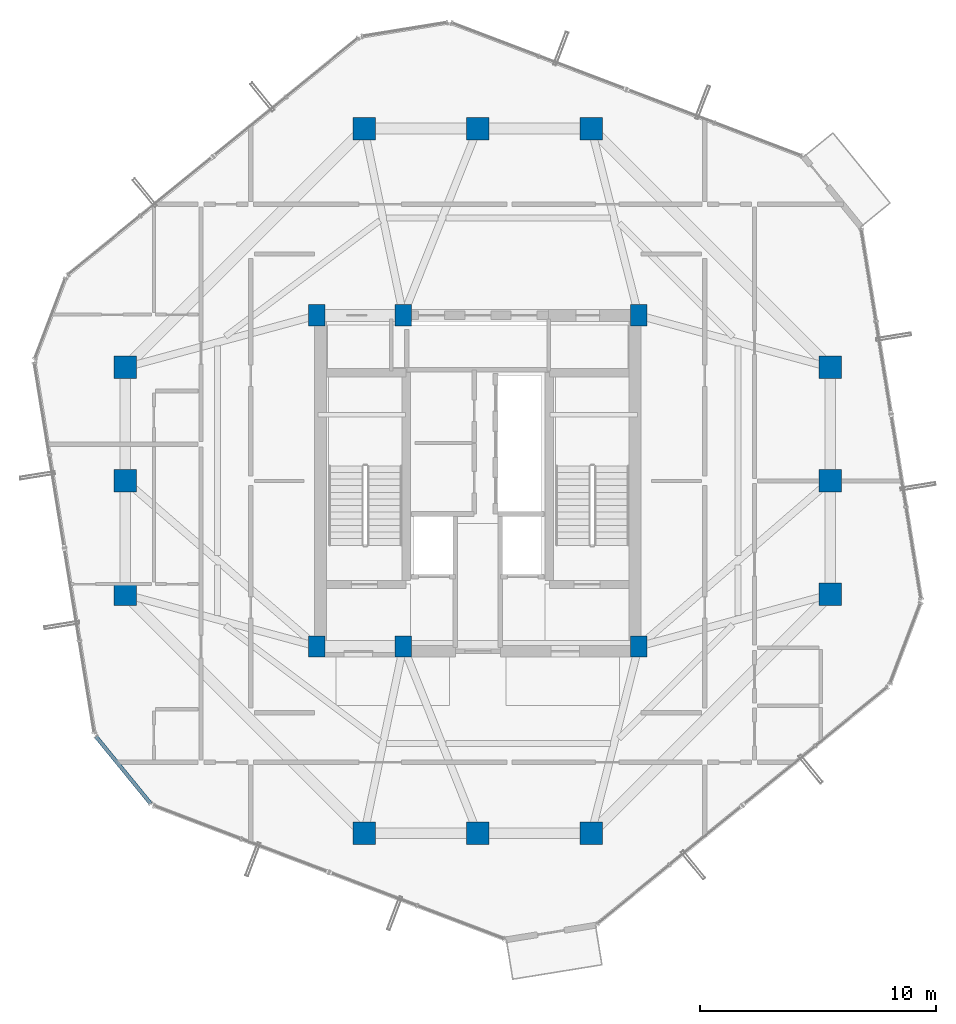
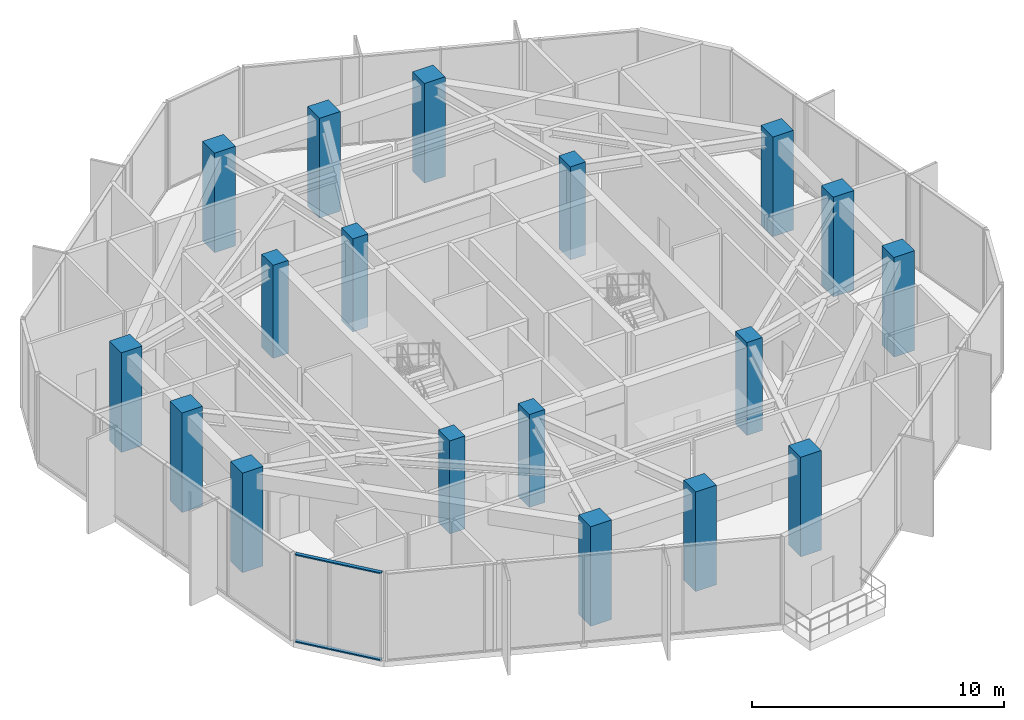
# One storey, part 1 of 22: 18 columns, 2 members, 1 element without a shape of its own.
"""IFC4 building model written with IfcOpenShell, lengths in metres."""

from ifc_helpers import new_model, si_unit, direction, frame, origin, origin_2d, place, context, subcontext, project, spatial, rectangle, hollow_rectangle, extrude, source, transform, mapped, material, layer, layer_set, material_profile, profile_set, type_object, element, aggregate, save


model = new_model("IFC4")

# Units and contexts
model_context = context("Model", 3, precision=1e-05, world=origin(), true_north=direction((0.0, 1.0)))
body_context = subcontext(model_context, "Body", "Model", "MODEL_VIEW")
ifc_project = project(units=[si_unit("LENGTHUNIT", "METRE"), si_unit("AREAUNIT", "SQUARE_METRE"), si_unit("VOLUMEUNIT", "CUBIC_METRE"), si_unit("PLANEANGLEUNIT", "RADIAN"), si_unit("MASSUNIT", "GRAM", prefix="KILO")], contexts=[model_context])

# Site, building, storey
site_placement = place(None, origin())
site = spatial("IfcSite", under=ifc_project, at=site_placement, CompositionType="ELEMENT")
building_placement = place(site_placement, origin())
building = spatial("IfcBuilding", under=site, at=building_placement, Name="Veraguas Prism Commons", CompositionType="ELEMENT")
storey_placement = place(building_placement, frame((0.0, 0.0, 174.35009765625)))
storey = spatial("IfcBuildingStorey", under=building, at=storey_placement, Name="L49", CompositionType="ELEMENT", Elevation=174.35009765625)

# Columns
ifc_material_1 = material(Name="Concrete C50/60", Category="concrete")
ifc_material_profile_1 = material_profile(ifc_material_1, rectangle(XDim=0.949951171875, YDim=0.949951171875, at=origin_2d()), Name="RC950X950")
ifc_profile_set_1 = profile_set([ifc_material_profile_1], Name="Concrete C50/60")
column_type_1 = type_object("IfcColumnType", Name="Column Tube Z3 RC 950x950", PredefinedType="COLUMN", material=ifc_profile_set_1)
for number, where, z_axis, x_axis, name in (
    (1, (38.89990234375, 19.199951171875, -0.320068359375), (0.0, 0.0, 1.0), (1.0, 0.0, 0.0), "Tower Perimeter Column L49-TB01"),
    (2, (38.89990234375, 24.0, -0.320068359375), (0.0, 0.0, 1.0), (1.0, 0.0, 0.0), "Tower Perimeter Column L49-TB02"),
    (3, (38.89990234375, 28.800048828125, -0.320068359375), (0.0, 0.0, 1.0), (1.0, 0.0, 0.0), "Tower Perimeter Column L49-TB03"),
    (4, (28.800048828125, 38.89990234375, -0.320068359375), (0.0, 0.0, 1.0), (1.0, 0.0, 0.0), "Tower Perimeter Column L49-TB04"),
    (5, (24.0, 38.89990234375, -0.320068359375), (0.0, 0.0, 1.0), (1.0, 0.0, 0.0), "Tower Perimeter Column L49-TB05"),
    (6, (19.199951171875, 38.89990234375, -0.320068359375), (0.0, 0.0, 1.0), (1.0, 0.0, 0.0), "Tower Perimeter Column L49-TB06"),
    (7, (9.10009765625, 28.800048828125, -0.320068359375), (0.0, 0.0, 1.0), (1.0, 0.0, 0.0), "Tower Perimeter Column L49-TB07"),
    (8, (9.10009765625, 24.0, -0.320068359375), (0.0, 0.0, 1.0), (1.0, 0.0, 0.0), "Tower Perimeter Column L49-TB08"),
    (9, (9.10009765625, 19.199951171875, -0.320068359375), (0.0, 0.0, 1.0), (1.0, 0.0, 0.0), "Tower Perimeter Column L49-TB09"),
    (10, (19.199951171875, 9.10009765625, -0.320068359375), (0.0, 0.0, 1.0), (1.0, 0.0, 0.0), "Tower Perimeter Column L49-TB10"),
    (11, (24.0, 9.10009765625, -0.320068359375), (0.0, 0.0, 1.0), (1.0, 0.0, 0.0), "Tower Perimeter Column L49-TB11"),
    (12, (28.800048828125, 9.10009765625, -0.320068359375), (0.0, 0.0, 1.0), (1.0, 0.0, 0.0), "Tower Perimeter Column L49-TB12"),
):
    element("IfcColumn", number, at=place(storey_placement, frame(where, z_axis=z_axis, x_axis=x_axis)), inside=storey, type_object=column_type_1, Name=name, PredefinedType="COLUMN", context=body_context, shape_type="SweptSolid", body=[
        extrude(rectangle(XDim=0.949951171875, YDim=0.949951171875, at=origin_2d()), origin(), (0.0, 0.0, 1.0), 4.820068359375),
    ])
ifc_material_profile_2 = material_profile(ifc_material_1, rectangle(XDim=0.699951171875, YDim=0.89990234375, at=origin_2d()), Name="RC700X900")
ifc_profile_set_2 = profile_set([ifc_material_profile_2], Name="Concrete C50/60")
column_type_2 = type_object("IfcColumnType", Name="Pilaster Core Upper RC 700x900", PredefinedType="PILASTER", material=ifc_profile_set_2)
for number, where, z_axis, x_axis, name in (
    (13, (17.199951171875, 17.0, 0.0), (0.0, 0.0, 1.0), (1.0, 0.0, 0.0), "Core Pilaster Column L49-CR1"),
    (14, (20.85009765625, 17.0, 0.0), (0.0, 0.0, 1.0), (1.0, 0.0, 0.0), "Core Pilaster Column L49-CR2"),
    (15, (30.800048828125, 17.0, 0.0), (0.0, 0.0, 1.0), (1.0, 0.0, 0.0), "Core Pilaster Column L49-CR3"),
    (16, (17.199951171875, 31.0, 0.0), (0.0, 0.0, 1.0), (1.0, 0.0, 0.0), "Core Pilaster Column L49-CR4"),
    (17, (20.85009765625, 31.0, 0.0), (0.0, 0.0, 1.0), (1.0, 0.0, 0.0), "Core Pilaster Column L49-CR5"),
    (18, (30.800048828125, 31.0, 0.0), (0.0, 0.0, 1.0), (1.0, 0.0, 0.0), "Core Pilaster Column L49-CR6"),
):
    element("IfcColumn", number, at=place(storey_placement, frame(where, z_axis=z_axis, x_axis=x_axis)), inside=storey, type_object=column_type_2, Name=name, PredefinedType="PILASTER", context=body_context, shape_type="SweptSolid", body=[
        extrude(rectangle(XDim=0.699951171875, YDim=0.89990234375, at=origin_2d()), origin(), (0.0, 0.0, 1.0), 4.5),
    ])

# Curtain wall, members
ifc_material_2 = material(Name="Anodised aluminium EN AW-6063 T6", Category="aluminium")
ifc_layer = layer(ifc_material_2, 0.199951171875, Name="Sky Lobby and Pool Acoustic Curtain Wall", Category="aluminium")
ifc_layer_set = layer_set([ifc_layer], Name="Anodised aluminium EN AW-6063 T6")
curtain_wall_type = type_object("IfcCurtainWallType", Name="Sky Lobby and Pool Acoustic Curtain Wall", PredefinedType="NOTDEFINED", material=ifc_layer_set)
curtain_wall_placement = place(storey_placement, origin())
curtain_wall = element("IfcCurtainWall", 19, at=curtain_wall_placement, inside=storey, type_object=curtain_wall_type, Name="Chamfer Curtain Wall L49-C4", PredefinedType="NOTDEFINED")
ifc_material_profile_3 = material_profile(ifc_material_2, hollow_rectangle(XDim=0.06005859375, YDim=0.159912109375, WallThickness=0.0029296875, at=origin_2d()), Name="AL60X160X3")
ifc_profile_set_3 = profile_set([ifc_material_profile_3], Name="Anodised aluminium EN AW-6063 T6")
member_type = type_object("IfcMemberType", Name="Curtain Wall Transom Heavy AL 60x160x3", PredefinedType="USERDEFINED", material=ifc_profile_set_3)
shared_shape = source(origin(), body_context, "Body", "SweptSolid", [
    extrude(hollow_rectangle(XDim=0.06005859375, YDim=0.159912109375, WallThickness=0.0029296875, at=origin_2d()), origin(), (0.0, 0.0, 1.0), 3.6494140625),
])
member_1_placement = place(storey_placement, frame((7.85693359375, 13.188720703125, 0.02978515625), z_axis=(0.632042163767, -0.774933999267, 0.0), x_axis=(0.0, 0.0, 1.0)))
member_1 = element("IfcMember", 20, at=member_1_placement, type_object=member_type, Name="CW-SKY Transom 1", ObjectType="TRANSOM", PredefinedType="USERDEFINED", context=body_context, shape_type="MappedRepresentation", body=[
    mapped(shared_shape, transform((0.0, 0.0, 0.0), scale=1.0)),
])
member_2_placement = place(storey_placement, frame((7.85693359375, 13.188720703125, 4.23486328125), z_axis=(0.632042163767, -0.774933999267, 0.0), x_axis=(0.0, 0.0, 1.0)))
member_2 = element("IfcMember", 21, at=member_2_placement, type_object=member_type, Name="CW-SKY Transom 2", ObjectType="TRANSOM", PredefinedType="USERDEFINED", context=body_context, shape_type="MappedRepresentation", body=[
    mapped(shared_shape, transform((0.0, 0.0, 0.0), scale=1.0)),
])
aggregate(curtain_wall, [member_1, member_2])

save(model, "model.ifc")
